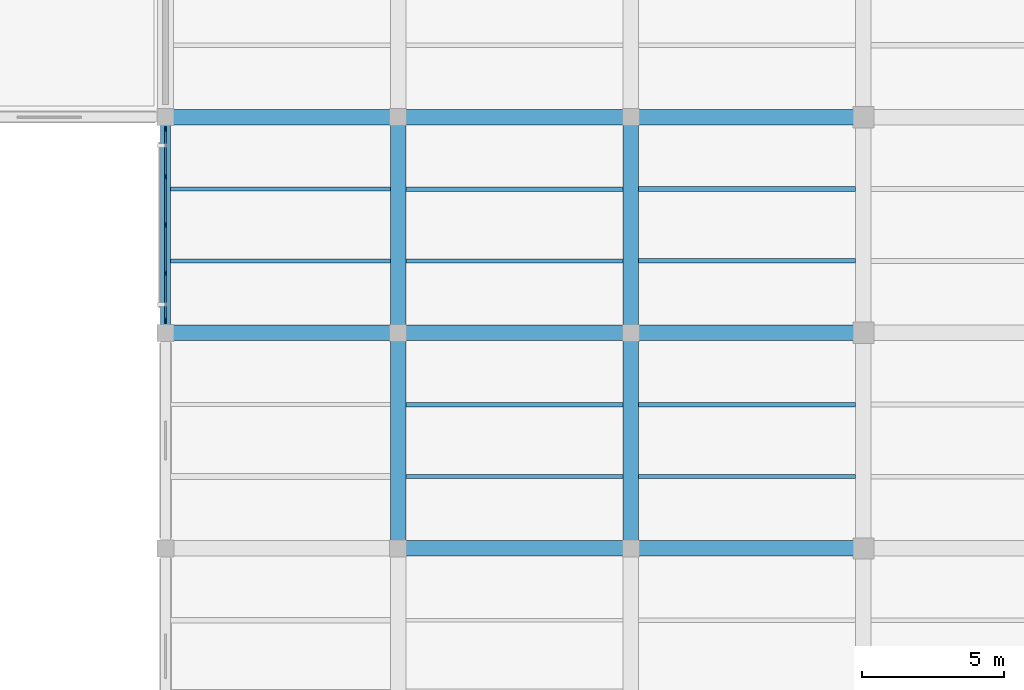
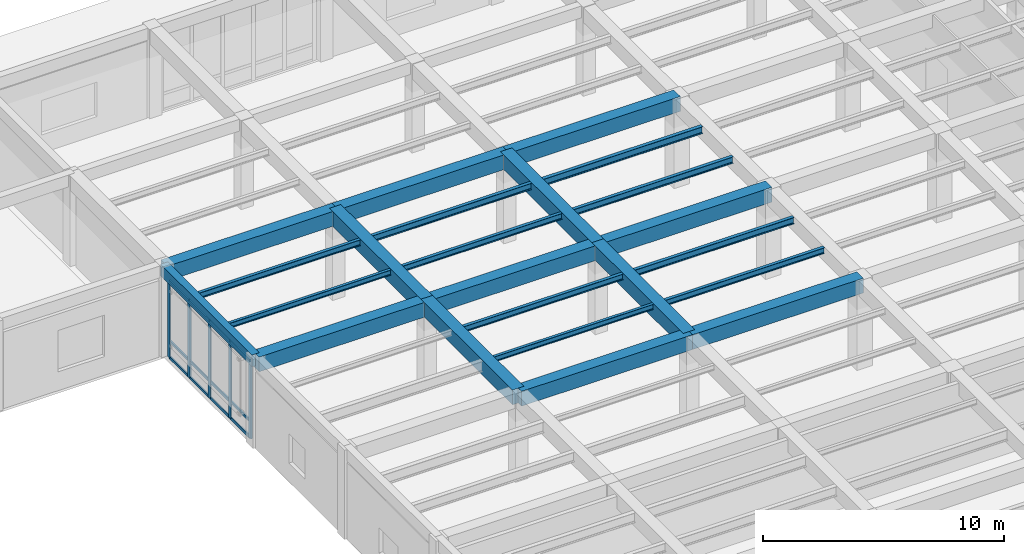
# One storey, part 18 of 57: 23 beams, 17 members, 1 element without a shape of its own.
"""IFC4 building model written with IfcOpenShell, lengths in metres."""

from ifc_helpers import new_model, si_unit, direction, frame, origin, origin_2d, place, context, subcontext, project, spatial, rectangle, i_section, extrude, material, material_profile, profile_set, type_object, element, aggregate, save


model = new_model("IFC4")

# Units and contexts
model_context = context("Model", 3, precision=1e-05, world=origin(), true_north=direction((0.0, 1.0)))
body_context = subcontext(model_context, "Body", "Model", "MODEL_VIEW")
ifc_project = project(units=[si_unit("LENGTHUNIT", "METRE"), si_unit("AREAUNIT", "SQUARE_METRE"), si_unit("VOLUMEUNIT", "CUBIC_METRE"), si_unit("PLANEANGLEUNIT", "RADIAN"), si_unit("MASSUNIT", "GRAM", prefix="KILO")], contexts=[model_context])

# Site, building, storey
site_placement = place(None, origin())
site = spatial("IfcSite", under=ifc_project, at=site_placement, CompositionType="ELEMENT")
building_placement = place(site_placement, origin())
building = spatial("IfcBuilding", under=site, at=building_placement, Name="Qandaris Square Conservatory and Botanical Centre", CompositionType="ELEMENT")
storey_placement = place(building_placement, frame((0.0, 0.0, 5.39990234375)))
storey = spatial("IfcBuildingStorey", under=building, at=storey_placement, Name="L01", CompositionType="ELEMENT", Elevation=5.39990234375)

# Beams
ifc_material_1 = material(Name="Steel S355", Category="steel")
ifc_material_profile_1 = material_profile(ifc_material_1, i_section(OverallWidth=0.14990234375, OverallDepth=0.300048828125, WebThickness=0.007080078125, FlangeThickness=0.0107421875, FilletRadius=0.014892578125, at=origin_2d()), Name="IPE 300")
ifc_profile_set_1 = profile_set([ifc_material_profile_1], Name="Steel S355")
beam_type_1 = type_object("IfcBeamType", Name="Composite Lab Joist IPE 300", PredefinedType="JOIST", material=ifc_profile_set_1)
beam_1_placement = place(storey_placement, frame((114.77490234375, 90.066650390625, 4.360107421875), z_axis=(1.0, 0.0, 0.0), x_axis=(0.0, 1.0, 0.0)))
element("IfcBeam", 1, at=beam_1_placement, inside=storey, type_object=beam_type_1, Name="L01 Composite Joist 1186", PredefinedType="JOIST", context=body_context, shape_type="SweptSolid", body=[
    extrude(i_section(OverallWidth=0.14990234375, OverallDepth=0.300048828125, WebThickness=0.007080078125, FlangeThickness=0.0107421875, FilletRadius=0.014892578125, at=origin_2d()), origin(), (0.0, 0.0, 1.0), 7.75),
])
for number, where, z_axis, x_axis, name in (
    (2, (123.074951171875, 82.466796875, 4.360107421875), (1.0, 0.0, 0.0), (0.0, 1.0, 0.0), "L01 Composite Joist 1206"),
    (3, (123.074951171875, 87.533203125, 4.360107421875), (1.0, 0.0, 0.0), (0.0, 1.0, 0.0), "L01 Composite Joist 1207"),
    (4, (131.27490234375, 79.933349609375, 4.360107421875), (1.0, 0.0, 0.0), (0.0, 1.0, 0.0), "L01 Composite Joist 1227"),
):
    element("IfcBeam", number, at=place(storey_placement, frame(where, z_axis=z_axis, x_axis=x_axis)), inside=storey, type_object=beam_type_1, Name=name, PredefinedType="JOIST", context=body_context, shape_type="SweptSolid", body=[
        extrude(i_section(OverallWidth=0.14990234375, OverallDepth=0.300048828125, WebThickness=0.007080078125, FlangeThickness=0.0107421875, FilletRadius=0.014892578125, at=origin_2d()), origin(), (0.0, 0.0, 1.0), 7.650146484375),
    ])
ifc_material_profile_2 = material_profile(ifc_material_1, i_section(OverallWidth=0.159912109375, OverallDepth=0.330078125, WebThickness=0.007568359375, FlangeThickness=0.011474609375, FilletRadius=0.01806640625, at=origin_2d()), Name="IPE 330")
ifc_profile_set_2 = profile_set([ifc_material_profile_2], Name="Steel S355")
beam_type_2 = type_object("IfcBeamType", Name="Composite Lab Joist IPE 330", PredefinedType="JOIST", material=ifc_profile_set_2)
for number, where, z_axis, x_axis, name in (
    (5, (123.074951171875, 90.066650390625, 4.34521484375), (1.0, 0.0, 0.0), (0.0, 1.0, 0.0), "L01 Composite Joist 1208"),
    (6, (131.27490234375, 82.466796875, 4.34521484375), (1.0, 0.0, 0.0), (0.0, 1.0, 0.0), "L01 Composite Joist 1228"),
    (7, (131.27490234375, 87.533203125, 4.34521484375), (1.0, 0.0, 0.0), (0.0, 1.0, 0.0), "L01 Composite Joist 1229"),
):
    element("IfcBeam", number, at=place(storey_placement, frame(where, z_axis=z_axis, x_axis=x_axis)), inside=storey, type_object=beam_type_2, Name=name, PredefinedType="JOIST", context=body_context, shape_type="SweptSolid", body=[
        extrude(i_section(OverallWidth=0.159912109375, OverallDepth=0.330078125, WebThickness=0.007568359375, FlangeThickness=0.011474609375, FilletRadius=0.01806640625, at=origin_2d()), origin(), (0.0, 0.0, 1.0), 7.650146484375),
    ])
ifc_material_profile_3 = material_profile(ifc_material_1, i_section(OverallWidth=0.169921875, OverallDepth=0.360107421875, WebThickness=0.008056640625, FlangeThickness=0.0126953125, FilletRadius=0.01806640625, at=origin_2d()), Name="IPE 360")
ifc_profile_set_3 = profile_set([ifc_material_profile_3], Name="Steel S355")
beam_type_3 = type_object("IfcBeamType", Name="Composite Lab Joist IPE 360", PredefinedType="JOIST", material=ifc_profile_set_3)
beam_2_placement = place(storey_placement, frame((131.27490234375, 90.066650390625, 4.330078125), z_axis=(1.0, 0.0, 0.0), x_axis=(0.0, 1.0, 0.0)))
element("IfcBeam", 8, at=beam_2_placement, inside=storey, type_object=beam_type_3, Name="L01 Composite Joist 1230", PredefinedType="JOIST", context=body_context, shape_type="SweptSolid", body=[
    extrude(i_section(OverallWidth=0.169921875, OverallDepth=0.360107421875, WebThickness=0.008056640625, FlangeThickness=0.0126953125, FilletRadius=0.01806640625, at=origin_2d()), origin(), (0.0, 0.0, 1.0), 7.650146484375),
])

# Curtain wall, members
ifc_material_2 = material(Name="Anodised Aluminium", Category="aluminium")
curtain_wall_type = type_object("IfcCurtainWallType", Name="Unitised Curtain Wall CW-4-680x392", PredefinedType="USERDEFINED", material=ifc_material_2)
curtain_wall_placement = place(storey_placement, origin())
curtain_wall = element("IfcCurtainWall", 9, at=curtain_wall_placement, inside=storey, type_object=curtain_wall_type, Name="Curtain Wall CW-TWR-L01-4-3", ObjectType="GLAZED CURTAIN WALL", PredefinedType="USERDEFINED")
ifc_material_profile_4 = material_profile(ifc_material_2, rectangle(XDim=0.06494140625, YDim=0.179931640625, at=origin_2d()), Name="ALU-MUL 65x180")
ifc_profile_set_4 = profile_set([ifc_material_profile_4], Name="Anodised Aluminium")
member_type_1 = type_object("IfcMemberType", Name="Curtain Wall Mullion 65x180", PredefinedType="MULLION", material=ifc_profile_set_4)
member_1_placement = place(storey_placement, frame((114.60009765625, 92.16748046875, 0.0), z_axis=(0.0, 0.0, 1.0), x_axis=(1.0, 0.0, 0.0)))
member_1 = element("IfcMember", 10, at=member_1_placement, type_object=member_type_1, Name="CW-4-680x392 mullion 1", PredefinedType="MULLION", context=body_context, shape_type="SweptSolid", body=[
    extrude(rectangle(XDim=0.06494140625, YDim=0.179931640625, at=origin_2d()), origin(), (0.0, 0.0, 1.0), 3.920166015625),
])
member_2_placement = place(storey_placement, frame((114.60009765625, 90.5, 0.0), z_axis=(0.0, 0.0, 1.0), x_axis=(1.0, 0.0, 0.0)))
member_2 = element("IfcMember", 11, at=member_2_placement, type_object=member_type_1, Name="CW-4-680x392 mullion 2", PredefinedType="MULLION", context=body_context, shape_type="SweptSolid", body=[
    extrude(rectangle(XDim=0.06494140625, YDim=0.179931640625, at=origin_2d()), origin(), (0.0, 0.0, 1.0), 3.920166015625),
])
member_3_placement = place(storey_placement, frame((114.60009765625, 88.800048828125, 0.0), z_axis=(0.0, 0.0, 1.0), x_axis=(1.0, 0.0, 0.0)))
member_3 = element("IfcMember", 12, at=member_3_placement, type_object=member_type_1, Name="CW-4-680x392 mullion 3", PredefinedType="MULLION", context=body_context, shape_type="SweptSolid", body=[
    extrude(rectangle(XDim=0.06494140625, YDim=0.179931640625, at=origin_2d()), origin(), (0.0, 0.0, 1.0), 3.920166015625),
])
member_4_placement = place(storey_placement, frame((114.60009765625, 87.10009765625, 0.0), z_axis=(0.0, 0.0, 1.0), x_axis=(1.0, 0.0, 0.0)))
member_4 = element("IfcMember", 13, at=member_4_placement, type_object=member_type_1, Name="CW-4-680x392 mullion 4", PredefinedType="MULLION", context=body_context, shape_type="SweptSolid", body=[
    extrude(rectangle(XDim=0.06494140625, YDim=0.179931640625, at=origin_2d()), origin(), (0.0, 0.0, 1.0), 3.920166015625),
])
member_5_placement = place(storey_placement, frame((114.60009765625, 85.4326171875, 0.0), z_axis=(0.0, 0.0, 1.0), x_axis=(1.0, 0.0, 0.0)))
member_5 = element("IfcMember", 14, at=member_5_placement, type_object=member_type_1, Name="CW-4-680x392 mullion 5", PredefinedType="MULLION", context=body_context, shape_type="SweptSolid", body=[
    extrude(rectangle(XDim=0.06494140625, YDim=0.179931640625, at=origin_2d()), origin(), (0.0, 0.0, 1.0), 3.920166015625),
])
ifc_material_profile_5 = material_profile(ifc_material_2, rectangle(XDim=0.06494140625, YDim=0.139892578125, at=origin_2d()), Name="ALU-TRN 65x140")
ifc_profile_set_5 = profile_set([ifc_material_profile_5], Name="Anodised Aluminium")
member_type_2 = type_object("IfcMemberType", Name="Curtain Wall Transom 65x140", PredefinedType="USERDEFINED", material=ifc_profile_set_5)
member_6_placement = place(storey_placement, frame((114.60009765625, 92.135009765625, 0.03271484375), z_axis=(0.0, -1.0, 0.0), x_axis=(1.0, 0.0, 0.0)))
member_6 = element("IfcMember", 15, at=member_6_placement, type_object=member_type_2, Name="CW-4-680x392 transom 1.1", ObjectType="TRANSOM", PredefinedType="USERDEFINED", context=body_context, shape_type="SweptSolid", body=[
    extrude(rectangle(XDim=0.06494140625, YDim=0.139892578125, at=origin_2d()), origin(), (0.0, 0.0, 1.0), 1.6025390625),
])
member_7_placement = place(storey_placement, frame((114.60009765625, 92.135009765625, 0.85009765625), z_axis=(0.0, -1.0, 0.0), x_axis=(1.0, 0.0, 0.0)))
member_7 = element("IfcMember", 16, at=member_7_placement, type_object=member_type_2, Name="CW-4-680x392 transom 1.2", ObjectType="TRANSOM", PredefinedType="USERDEFINED", context=body_context, shape_type="SweptSolid", body=[
    extrude(rectangle(XDim=0.06494140625, YDim=0.139892578125, at=origin_2d()), origin(), (0.0, 0.0, 1.0), 1.6025390625),
])
member_8_placement = place(storey_placement, frame((114.60009765625, 92.135009765625, 3.8876953125), z_axis=(0.0, -1.0, 0.0), x_axis=(1.0, 0.0, 0.0)))
member_8 = element("IfcMember", 17, at=member_8_placement, type_object=member_type_2, Name="CW-4-680x392 transom 1.3", ObjectType="TRANSOM", PredefinedType="USERDEFINED", context=body_context, shape_type="SweptSolid", body=[
    extrude(rectangle(XDim=0.06494140625, YDim=0.139892578125, at=origin_2d()), origin(), (0.0, 0.0, 1.0), 1.6025390625),
])
member_9_placement = place(storey_placement, frame((114.60009765625, 90.467529296875, 0.03271484375), z_axis=(0.0, -1.0, 0.0), x_axis=(1.0, 0.0, 0.0)))
member_9 = element("IfcMember", 18, at=member_9_placement, type_object=member_type_2, Name="CW-4-680x392 transom 2.1", ObjectType="TRANSOM", PredefinedType="USERDEFINED", context=body_context, shape_type="SweptSolid", body=[
    extrude(rectangle(XDim=0.06494140625, YDim=0.139892578125, at=origin_2d()), origin(), (0.0, 0.0, 1.0), 1.635009765625),
])
member_10_placement = place(storey_placement, frame((114.60009765625, 90.467529296875, 0.85009765625), z_axis=(0.0, -1.0, 0.0), x_axis=(1.0, 0.0, 0.0)))
member_10 = element("IfcMember", 19, at=member_10_placement, type_object=member_type_2, Name="CW-4-680x392 transom 2.2", ObjectType="TRANSOM", PredefinedType="USERDEFINED", context=body_context, shape_type="SweptSolid", body=[
    extrude(rectangle(XDim=0.06494140625, YDim=0.139892578125, at=origin_2d()), origin(), (0.0, 0.0, 1.0), 1.635009765625),
])
member_11_placement = place(storey_placement, frame((114.60009765625, 90.467529296875, 3.8876953125), z_axis=(0.0, -1.0, 0.0), x_axis=(1.0, 0.0, 0.0)))
member_11 = element("IfcMember", 20, at=member_11_placement, type_object=member_type_2, Name="CW-4-680x392 transom 2.3", ObjectType="TRANSOM", PredefinedType="USERDEFINED", context=body_context, shape_type="SweptSolid", body=[
    extrude(rectangle(XDim=0.06494140625, YDim=0.139892578125, at=origin_2d()), origin(), (0.0, 0.0, 1.0), 1.635009765625),
])
member_12_placement = place(storey_placement, frame((114.60009765625, 88.767578125, 0.03271484375), z_axis=(0.0, -1.0, 0.0), x_axis=(1.0, 0.0, 0.0)))
member_12 = element("IfcMember", 21, at=member_12_placement, type_object=member_type_2, Name="CW-4-680x392 transom 3.1", ObjectType="TRANSOM", PredefinedType="USERDEFINED", context=body_context, shape_type="SweptSolid", body=[
    extrude(rectangle(XDim=0.06494140625, YDim=0.139892578125, at=origin_2d()), origin(), (0.0, 0.0, 1.0), 1.635009765625),
])
member_13_placement = place(storey_placement, frame((114.60009765625, 88.767578125, 0.85009765625), z_axis=(0.0, -1.0, 0.0), x_axis=(1.0, 0.0, 0.0)))
member_13 = element("IfcMember", 22, at=member_13_placement, type_object=member_type_2, Name="CW-4-680x392 transom 3.2", ObjectType="TRANSOM", PredefinedType="USERDEFINED", context=body_context, shape_type="SweptSolid", body=[
    extrude(rectangle(XDim=0.06494140625, YDim=0.139892578125, at=origin_2d()), origin(), (0.0, 0.0, 1.0), 1.635009765625),
])
member_14_placement = place(storey_placement, frame((114.60009765625, 88.767578125, 3.8876953125), z_axis=(0.0, -1.0, 0.0), x_axis=(1.0, 0.0, 0.0)))
member_14 = element("IfcMember", 23, at=member_14_placement, type_object=member_type_2, Name="CW-4-680x392 transom 3.3", ObjectType="TRANSOM", PredefinedType="USERDEFINED", context=body_context, shape_type="SweptSolid", body=[
    extrude(rectangle(XDim=0.06494140625, YDim=0.139892578125, at=origin_2d()), origin(), (0.0, 0.0, 1.0), 1.635009765625),
])
member_15_placement = place(storey_placement, frame((114.60009765625, 87.0673828125, 0.03271484375), z_axis=(0.0, -1.0, 0.0), x_axis=(1.0, 0.0, 0.0)))
member_15 = element("IfcMember", 24, at=member_15_placement, type_object=member_type_2, Name="CW-4-680x392 transom 4.1", ObjectType="TRANSOM", PredefinedType="USERDEFINED", context=body_context, shape_type="SweptSolid", body=[
    extrude(rectangle(XDim=0.06494140625, YDim=0.139892578125, at=origin_2d()), origin(), (0.0, 0.0, 1.0), 1.602294921875),
])
member_16_placement = place(storey_placement, frame((114.60009765625, 87.0673828125, 0.85009765625), z_axis=(0.0, -1.0, 0.0), x_axis=(1.0, 0.0, 0.0)))
member_16 = element("IfcMember", 25, at=member_16_placement, type_object=member_type_2, Name="CW-4-680x392 transom 4.2", ObjectType="TRANSOM", PredefinedType="USERDEFINED", context=body_context, shape_type="SweptSolid", body=[
    extrude(rectangle(XDim=0.06494140625, YDim=0.139892578125, at=origin_2d()), origin(), (0.0, 0.0, 1.0), 1.602294921875),
])
member_17_placement = place(storey_placement, frame((114.60009765625, 87.0673828125, 3.8876953125), z_axis=(0.0, -1.0, 0.0), x_axis=(1.0, 0.0, 0.0)))
member_17 = element("IfcMember", 26, at=member_17_placement, type_object=member_type_2, Name="CW-4-680x392 transom 4.3", ObjectType="TRANSOM", PredefinedType="USERDEFINED", context=body_context, shape_type="SweptSolid", body=[
    extrude(rectangle(XDim=0.06494140625, YDim=0.139892578125, at=origin_2d()), origin(), (0.0, 0.0, 1.0), 1.602294921875),
])
aggregate(curtain_wall, [member_1, member_2, member_3, member_4, member_5, member_6, member_7, member_8, member_9, member_10, member_11, member_12, member_13, member_14, member_15, member_16, member_17])

# Beams
ifc_material_3 = material(Name="Concrete C50/60", Category="concrete")
ifc_material_profile_6 = material_profile(ifc_material_3, rectangle(XDim=0.35009765625, YDim=0.60009765625, at=origin_2d()), Name="RC-SP 350x600")
ifc_profile_set_6 = profile_set([ifc_material_profile_6], Name="Concrete C50/60")
beam_type_4 = type_object("IfcBeamType", Name="RC Edge Spandrel Beam 350x600", PredefinedType="SPANDREL", material=ifc_profile_set_6)
beam_3_placement = place(storey_placement, frame((114.60009765625, 85.0, 4.22021484375), z_axis=(0.0, 1.0, 0.0), x_axis=(-1.0, 0.0, 0.0)))
element("IfcBeam", 27, at=beam_3_placement, inside=storey, type_object=beam_type_4, Name="L01 Frame Beam 1079", PredefinedType="SPANDREL", context=body_context, shape_type="SweptSolid", body=[
    extrude(rectangle(XDim=0.35009765625, YDim=0.60009765625, at=origin_2d()), origin(), (0.0, 0.0, 1.0), 7.60009765625),
])
ifc_material_profile_7 = material_profile(ifc_material_3, rectangle(XDim=0.550048828125, YDim=0.75, at=origin_2d()), Name="RC-BM 550x750")
ifc_profile_set_7 = profile_set([ifc_material_profile_7], Name="Concrete C50/60")
beam_type_5 = type_object("IfcBeamType", Name="RC Plinth Girder 550x750", PredefinedType="BEAM", material=ifc_profile_set_7)
for number, where, z_axis, x_axis, name in (
    (28, (122.800048828125, 77.39990234375, 4.14501953125), (1.0, 0.0, 0.0), (0.0, 1.0, 0.0), "L01 Frame Beam 0972"),
    (29, (131.0, 77.39990234375, 4.14501953125), (1.0, 0.0, 0.0), (0.0, 1.0, 0.0), "L01 Frame Beam 0973"),
    (30, (114.60009765625, 85.0, 4.14501953125), (1.0, 0.0, 0.0), (0.0, 1.0, 0.0), "L01 Frame Beam 0977"),
    (31, (122.800048828125, 85.0, 4.14501953125), (1.0, 0.0, 0.0), (0.0, 1.0, 0.0), "L01 Frame Beam 0978"),
    (32, (131.0, 85.0, 4.14501953125), (1.0, 0.0, 0.0), (0.0, 1.0, 0.0), "L01 Frame Beam 0979"),
    (33, (114.60009765625, 92.60009765625, 4.14501953125), (1.0, 0.0, 0.0), (0.0, 1.0, 0.0), "L01 Frame Beam 0990"),
    (34, (122.800048828125, 92.60009765625, 4.14501953125), (1.0, 0.0, 0.0), (0.0, 1.0, 0.0), "L01 Frame Beam 0991"),
    (35, (131.0, 92.60009765625, 4.14501953125), (1.0, 0.0, 0.0), (0.0, 1.0, 0.0), "L01 Frame Beam 0992"),
):
    element("IfcBeam", number, at=place(storey_placement, frame(where, z_axis=z_axis, x_axis=x_axis)), inside=storey, type_object=beam_type_5, Name=name, PredefinedType="BEAM", context=body_context, shape_type="SweptSolid", body=[
        extrude(rectangle(XDim=0.550048828125, YDim=0.75, at=origin_2d()), origin(), (0.0, 0.0, 1.0), 8.199951171875),
    ])
for number, where, z_axis, x_axis, name in (
    (36, (122.800048828125, 77.39990234375, 4.14501953125), (0.0, 1.0, 0.0), (-1.0, 0.0, 0.0), "L01 Frame Beam 1091"),
    (37, (122.800048828125, 85.0, 4.14501953125), (0.0, 1.0, 0.0), (-1.0, 0.0, 0.0), "L01 Frame Beam 1092"),
    (38, (131.0, 77.39990234375, 4.14501953125), (0.0, 1.0, 0.0), (-1.0, 0.0, 0.0), "L01 Frame Beam 1103"),
    (39, (131.0, 85.0, 4.14501953125), (0.0, 1.0, 0.0), (-1.0, 0.0, 0.0), "L01 Frame Beam 1104"),
):
    element("IfcBeam", number, at=place(storey_placement, frame(where, z_axis=z_axis, x_axis=x_axis)), inside=storey, type_object=beam_type_5, Name=name, PredefinedType="BEAM", context=body_context, shape_type="SweptSolid", body=[
        extrude(rectangle(XDim=0.550048828125, YDim=0.75, at=origin_2d()), origin(), (0.0, 0.0, 1.0), 7.60009765625),
    ])
ifc_material_profile_8 = material_profile(ifc_material_1, i_section(OverallWidth=0.135009765625, OverallDepth=0.27001953125, WebThickness=0.006591796875, FlangeThickness=0.01025390625, FilletRadius=0.014892578125, at=origin_2d()), Name="IPE 270")
ifc_profile_set_8 = profile_set([ifc_material_profile_8], Name="Steel S355")
beam_type_6 = type_object("IfcBeamType", Name="Steel Floor Joist IPE 270", PredefinedType="JOIST", material=ifc_profile_set_8)
beam_4_placement = place(storey_placement, frame((114.77490234375, 87.533203125, 4.375), z_axis=(1.0, 0.0, 0.0), x_axis=(0.0, 1.0, 0.0)))
element("IfcBeam", 40, at=beam_4_placement, inside=storey, type_object=beam_type_6, Name="L01 Composite Joist 1185", PredefinedType="JOIST", context=body_context, shape_type="SweptSolid", body=[
    extrude(i_section(OverallWidth=0.135009765625, OverallDepth=0.27001953125, WebThickness=0.006591796875, FlangeThickness=0.01025390625, FilletRadius=0.014892578125, at=origin_2d()), origin(), (0.0, 0.0, 1.0), 7.75),
])
beam_5_placement = place(storey_placement, frame((123.074951171875, 79.933349609375, 4.375), z_axis=(1.0, 0.0, 0.0), x_axis=(0.0, 1.0, 0.0)))
element("IfcBeam", 41, at=beam_5_placement, inside=storey, type_object=beam_type_6, Name="L01 Composite Joist 1205", PredefinedType="JOIST", context=body_context, shape_type="SweptSolid", body=[
    extrude(i_section(OverallWidth=0.135009765625, OverallDepth=0.27001953125, WebThickness=0.006591796875, FlangeThickness=0.01025390625, FilletRadius=0.014892578125, at=origin_2d()), origin(), (0.0, 0.0, 1.0), 7.650146484375),
])

save(model, "model.ifc")
